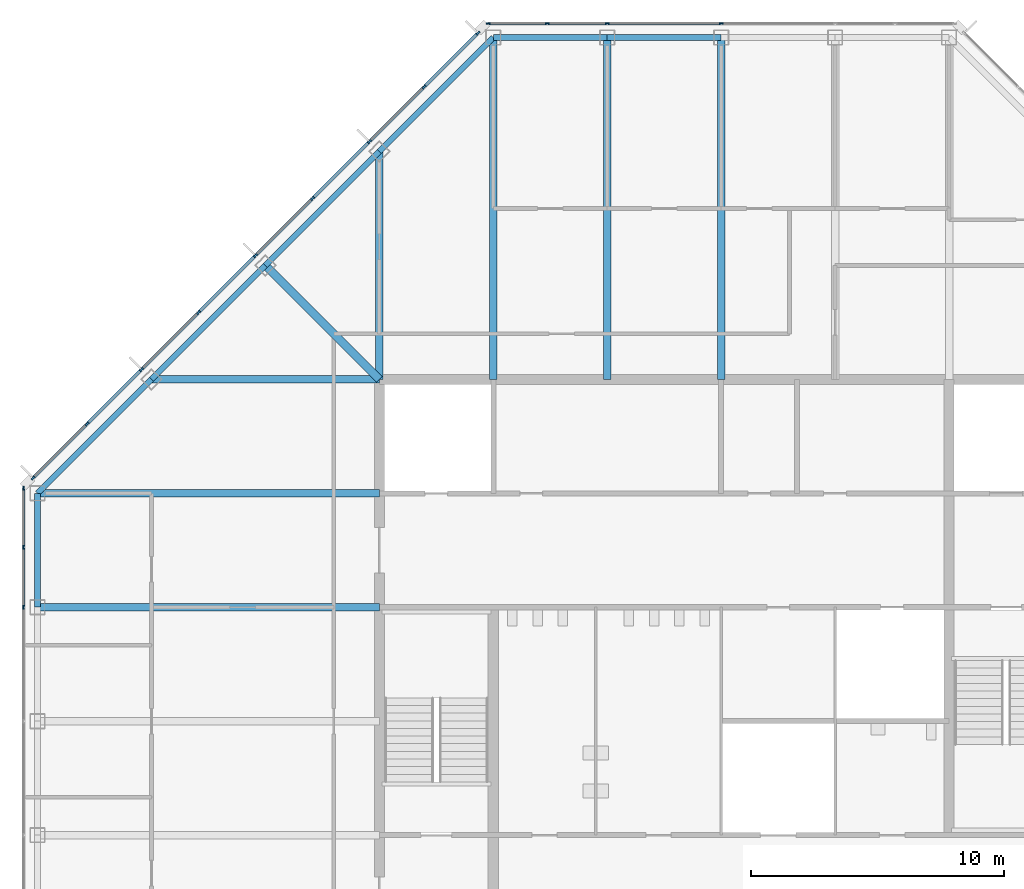
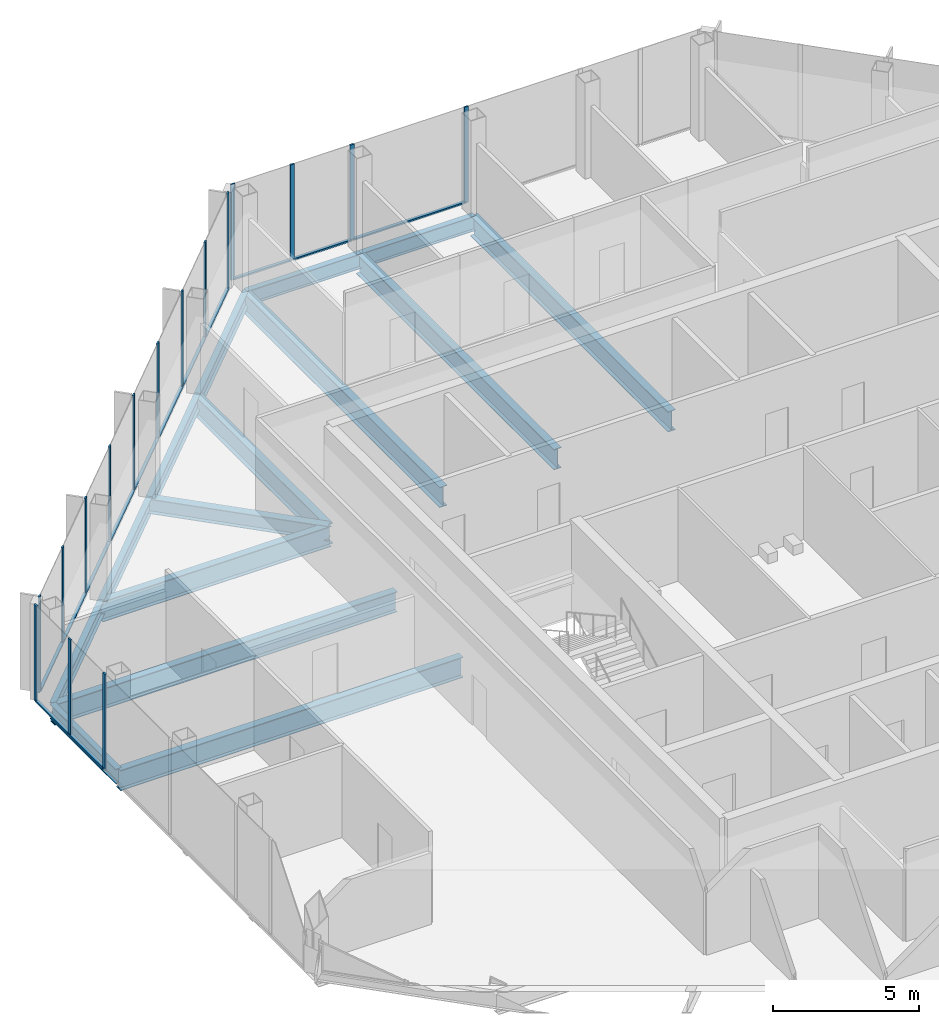
# One storey, part 6 of 14: 29 members, 15 beams, 3 elements without a shape of their own.
"""IFC4 building model written with IfcOpenShell, lengths in metres."""

from ifc_helpers import new_model, si_unit, direction, frame, origin, origin_2d, place, context, subcontext, project, spatial, rectangle, i_section, extrude, material, material_profile, profile_set, type_object, element, aggregate, save


model = new_model("IFC4")

# Units and contexts
model_context = context("Model", 3, precision=1e-05, world=origin(), true_north=direction((0.0, 1.0)))
body_context = subcontext(model_context, "Body", "Model", "MODEL_VIEW")
ifc_project = project(units=[si_unit("LENGTHUNIT", "METRE"), si_unit("AREAUNIT", "SQUARE_METRE"), si_unit("VOLUMEUNIT", "CUBIC_METRE"), si_unit("PLANEANGLEUNIT", "RADIAN"), si_unit("MASSUNIT", "GRAM", prefix="KILO")], contexts=[model_context])

# Site, building, storey
site_placement = place(None, origin())
site = spatial("IfcSite", under=ifc_project, at=site_placement, CompositionType="ELEMENT")
building_placement = place(site_placement, origin())
building = spatial("IfcBuilding", under=site, at=building_placement, Name="Corais Broadcast Tower", CompositionType="ELEMENT")
storey_placement = place(building_placement, frame((0.0, 0.0, 286.60009765625)))
storey = spatial("IfcBuildingStorey", under=building, at=storey_placement, Name="L67", CompositionType="ELEMENT", Elevation=286.60009765625)

# Beams
ifc_material_1 = material(Name="Steel ASTM A572 Grade 50", Category="steel")
ifc_material_profile_1 = material_profile(ifc_material_1, i_section(OverallWidth=0.323974609375, OverallDepth=0.611083984375, WebThickness=0.0126953125, FlangeThickness=0.01904296875, at=origin_2d()), Name="W610x155")
ifc_profile_set_1 = profile_set([ifc_material_profile_1], Name="Steel ASTM A572 Grade 50")
beam_type_1 = type_object("IfcBeamType", Name="Corner diagonal W610x155", PredefinedType="BEAM", material=ifc_profile_set_1)
beam_1_placement = place(storey_placement, frame((9.0, 45.0, -0.465576171875), z_axis=(0.707106781187, -0.707106781187, 0.0), x_axis=(0.707106781187, 0.707106781187, 0.0)))
element("IfcBeam", 1, at=beam_1_placement, inside=storey, type_object=beam_type_1, Name="B6 L/5 to K/6", PredefinedType="BEAM", context=body_context, shape_type="SweptSolid", body=[
    extrude(i_section(OverallWidth=0.323974609375, OverallDepth=0.611083984375, WebThickness=0.0126953125, FlangeThickness=0.01904296875, at=origin_2d()), origin(), (0.0, 0.0, 1.0), 6.364013671875),
])
ifc_material_2 = material(Name="Steel ASTM A572 Grade 50", Category="steel")
ifc_material_profile_2 = material_profile(ifc_material_2, i_section(OverallWidth=0.2939453125, OverallDepth=0.85107421875, WebThickness=0.01611328125, FlangeThickness=0.02685546875, at=origin_2d()), Name="W840x226")
ifc_profile_set_2 = profile_set([ifc_material_profile_2], Name="Steel ASTM A572 Grade 50")
beam_type_2 = type_object("IfcBeamType", Name="Floor beam W840x226", PredefinedType="BEAM", material=ifc_profile_set_2)
for number, where, z_axis, x_axis, name in (
    (2, (0.0, 31.5, -0.585693359375), (1.0, 0.0, 0.0), (0.0, 1.0, 0.0), "B1 H/3 to H/6"),
    (3, (0.0, 36.0, -0.585693359375), (1.0, 0.0, 0.0), (0.0, 1.0, 0.0), "B1 J/3 to J/6"),
):
    element("IfcBeam", number, at=place(storey_placement, frame(where, z_axis=z_axis, x_axis=x_axis)), inside=storey, type_object=beam_type_2, Name=name, PredefinedType="BEAM", context=body_context, shape_type="SweptSolid", body=[
        extrude(i_section(OverallWidth=0.2939453125, OverallDepth=0.85107421875, WebThickness=0.01611328125, FlangeThickness=0.02685546875, at=origin_2d()), origin(), (0.0, 0.0, 1.0), 13.5),
    ])
beam_2_placement = place(storey_placement, frame((13.5, 49.5, -0.585693359375), z_axis=(0.0, -1.0, 0.0), x_axis=(1.0, 0.0, 0.0)))
element("IfcBeam", 4, at=beam_2_placement, inside=storey, type_object=beam_type_2, Name="B1 M/6 to K/6", PredefinedType="BEAM", context=body_context, shape_type="SweptSolid", body=[
    extrude(i_section(OverallWidth=0.2939453125, OverallDepth=0.85107421875, WebThickness=0.01611328125, FlangeThickness=0.02685546875, at=origin_2d()), origin(), (0.0, 0.0, 1.0), 9.0),
])
for number, where, z_axis, x_axis, name in (
    (5, (18.0, 54.0, -0.585693359375), (0.0, -1.0, 0.0), (1.0, 0.0, 0.0), "B1 N/7 to K/7"),
    (6, (22.5, 54.0, -0.585693359375), (0.0, -1.0, 0.0), (1.0, 0.0, 0.0), "B1 N/8 to K/8"),
    (7, (27.0, 54.0, -0.585693359375), (0.0, -1.0, 0.0), (1.0, 0.0, 0.0), "B1 N/9 to K/9"),
):
    element("IfcBeam", number, at=place(storey_placement, frame(where, z_axis=z_axis, x_axis=x_axis)), inside=storey, type_object=beam_type_2, Name=name, PredefinedType="BEAM", context=body_context, shape_type="SweptSolid", body=[
        extrude(i_section(OverallWidth=0.2939453125, OverallDepth=0.85107421875, WebThickness=0.01611328125, FlangeThickness=0.02685546875, at=origin_2d()), origin(), (0.0, 0.0, 1.0), 13.5),
    ])
beam_3_placement = place(storey_placement, frame((4.5, 40.5, -0.585693359375), z_axis=(1.0, 0.0, 0.0), x_axis=(0.0, 1.0, 0.0)))
element("IfcBeam", 8, at=beam_3_placement, inside=storey, type_object=beam_type_2, Name="B1 K/4 to K/6", PredefinedType="BEAM", context=body_context, shape_type="SweptSolid", body=[
    extrude(i_section(OverallWidth=0.2939453125, OverallDepth=0.85107421875, WebThickness=0.01611328125, FlangeThickness=0.02685546875, at=origin_2d()), origin(), (0.0, 0.0, 1.0), 9.0),
])

# Curtain wall, members
ifc_material_3 = material(Name="Aluminium and glass", Category="aluminium")
curtain_wall_type = type_object("IfcCurtainWallType", Name="Unitised fritted curtain wall CW3", PredefinedType="NOTDEFINED", material=ifc_material_3)
curtain_wall_1_placement = place(storey_placement, origin())
curtain_wall_1 = element("IfcCurtainWall", 9, at=curtain_wall_1_placement, inside=storey, type_object=curtain_wall_type, Name="CW3 curtain wall L67 2", PredefinedType="NOTDEFINED")
ifc_material_4 = material(Name="Aluminium 6063-T6", Category="aluminium")
ifc_material_profile_3 = material_profile(ifc_material_4, rectangle(XDim=0.06494140625, YDim=0.159912109375, at=origin_2d()), Name="Mullion CW3 65x160")
ifc_profile_set_3 = profile_set([ifc_material_profile_3], Name="Aluminium 6063-T6")
member_type_1 = type_object("IfcMemberType", Name="Mullion CW3 65x160", PredefinedType="MULLION", material=ifc_profile_set_3)
member_1_placement = place(storey_placement, frame((-0.550048828125, 31.5, 0.0), z_axis=(0.0, 0.0, 1.0), x_axis=(-1.0, 0.0, 0.0)))
member_1 = element("IfcMember", 10, at=member_1_placement, type_object=member_type_1, Name="CW3 mullion 5", PredefinedType="MULLION", context=body_context, shape_type="SweptSolid", body=[
    extrude(rectangle(XDim=0.06494140625, YDim=0.159912109375, at=origin_2d()), origin(), (0.0, 0.0, 1.0), 4.0),
])
member_2_placement = place(storey_placement, frame((-0.550048828125, 33.864013671875, 0.0), z_axis=(0.0, 0.0, 1.0), x_axis=(-1.0, 0.0, 0.0)))
member_2 = element("IfcMember", 11, at=member_2_placement, type_object=member_type_1, Name="CW3 mullion 6", PredefinedType="MULLION", context=body_context, shape_type="SweptSolid", body=[
    extrude(rectangle(XDim=0.06494140625, YDim=0.159912109375, at=origin_2d()), origin(), (0.0, 0.0, 1.0), 4.0),
])
member_3_placement = place(storey_placement, frame((-0.550048828125, 36.1953125, 0.0), z_axis=(0.0, 0.0, 1.0), x_axis=(-1.0, 0.0, 0.0)))
member_3 = element("IfcMember", 12, at=member_3_placement, type_object=member_type_1, Name="CW3 mullion 7", PredefinedType="MULLION", context=body_context, shape_type="SweptSolid", body=[
    extrude(rectangle(XDim=0.06494140625, YDim=0.159912109375, at=origin_2d()), origin(), (0.0, 0.0, 1.0), 4.0),
])

curtain_wall_2_placement = place(storey_placement, origin())
curtain_wall_2 = element("IfcCurtainWall", 13, at=curtain_wall_2_placement, inside=storey, type_object=curtain_wall_type, Name="CW3 curtain wall L67 3", PredefinedType="NOTDEFINED")
member_4_placement = place(storey_placement, frame((-0.17333984375, 36.6044921875, 0.0), z_axis=(0.0, 0.0, 1.0), x_axis=(-0.707106781187, 0.707106781187, 0.0)))
member_4 = element("IfcMember", 14, at=member_4_placement, type_object=member_type_1, Name="CW3 mullion 1", PredefinedType="MULLION", context=body_context, shape_type="SweptSolid", body=[
    extrude(rectangle(XDim=0.06494140625, YDim=0.159912109375, at=origin_2d()), origin(), (0.0, 0.0, 1.0), 4.0),
])
member_5_placement = place(storey_placement, frame((1.957275390625, 38.735107421875, 0.0), z_axis=(0.0, 0.0, 1.0), x_axis=(-0.707106781187, 0.707106781187, 0.0)))
member_5 = element("IfcMember", 15, at=member_5_placement, type_object=member_type_1, Name="CW3 mullion 2", PredefinedType="MULLION", context=body_context, shape_type="SweptSolid", body=[
    extrude(rectangle(XDim=0.06494140625, YDim=0.159912109375, at=origin_2d()), origin(), (0.0, 0.0, 1.0), 4.0),
])
member_6_placement = place(storey_placement, frame((4.111083984375, 40.888916015625, 0.0), z_axis=(0.0, 0.0, 1.0), x_axis=(-0.707106781187, 0.707106781187, 0.0)))
member_6 = element("IfcMember", 16, at=member_6_placement, type_object=member_type_1, Name="CW3 mullion 3", PredefinedType="MULLION", context=body_context, shape_type="SweptSolid", body=[
    extrude(rectangle(XDim=0.06494140625, YDim=0.159912109375, at=origin_2d()), origin(), (0.0, 0.0, 1.0), 4.0),
])
member_7_placement = place(storey_placement, frame((6.361083984375, 43.138916015625, 0.0), z_axis=(0.0, 0.0, 1.0), x_axis=(-0.707106781187, 0.707106781187, 0.0)))
member_7 = element("IfcMember", 17, at=member_7_placement, type_object=member_type_1, Name="CW3 mullion 4", PredefinedType="MULLION", context=body_context, shape_type="SweptSolid", body=[
    extrude(rectangle(XDim=0.06494140625, YDim=0.159912109375, at=origin_2d()), origin(), (0.0, 0.0, 1.0), 4.0),
])
member_8_placement = place(storey_placement, frame((8.611083984375, 45.388916015625, 0.0), z_axis=(0.0, 0.0, 1.0), x_axis=(-0.707106781187, 0.707106781187, 0.0)))
member_8 = element("IfcMember", 18, at=member_8_placement, type_object=member_type_1, Name="CW3 mullion 5", PredefinedType="MULLION", context=body_context, shape_type="SweptSolid", body=[
    extrude(rectangle(XDim=0.06494140625, YDim=0.159912109375, at=origin_2d()), origin(), (0.0, 0.0, 1.0), 4.0),
])
member_9_placement = place(storey_placement, frame((10.861083984375, 47.638916015625, 0.0), z_axis=(0.0, 0.0, 1.0), x_axis=(-0.707106781187, 0.707106781187, 0.0)))
member_9 = element("IfcMember", 19, at=member_9_placement, type_object=member_type_1, Name="CW3 mullion 6", PredefinedType="MULLION", context=body_context, shape_type="SweptSolid", body=[
    extrude(rectangle(XDim=0.06494140625, YDim=0.159912109375, at=origin_2d()), origin(), (0.0, 0.0, 1.0), 4.0),
])
member_10_placement = place(storey_placement, frame((13.111083984375, 49.888916015625, 0.0), z_axis=(0.0, 0.0, 1.0), x_axis=(-0.707106781187, 0.707106781187, 0.0)))
member_10 = element("IfcMember", 20, at=member_10_placement, type_object=member_type_1, Name="CW3 mullion 7", PredefinedType="MULLION", context=body_context, shape_type="SweptSolid", body=[
    extrude(rectangle(XDim=0.06494140625, YDim=0.159912109375, at=origin_2d()), origin(), (0.0, 0.0, 1.0), 4.0),
])
member_11_placement = place(storey_placement, frame((15.264892578125, 52.042724609375, 0.0), z_axis=(0.0, 0.0, 1.0), x_axis=(-0.707106781187, 0.707106781187, 0.0)))
member_11 = element("IfcMember", 21, at=member_11_placement, type_object=member_type_1, Name="CW3 mullion 8", PredefinedType="MULLION", context=body_context, shape_type="SweptSolid", body=[
    extrude(rectangle(XDim=0.06494140625, YDim=0.159912109375, at=origin_2d()), origin(), (0.0, 0.0, 1.0), 4.0),
])
member_12_placement = place(storey_placement, frame((17.3955078125, 54.17333984375, 0.0), z_axis=(0.0, 0.0, 1.0), x_axis=(-0.707106781187, 0.707106781187, 0.0)))
member_12 = element("IfcMember", 22, at=member_12_placement, type_object=member_type_1, Name="CW3 mullion 9", PredefinedType="MULLION", context=body_context, shape_type="SweptSolid", body=[
    extrude(rectangle(XDim=0.06494140625, YDim=0.159912109375, at=origin_2d()), origin(), (0.0, 0.0, 1.0), 4.0),
])

curtain_wall_3_placement = place(storey_placement, origin())
curtain_wall_3 = element("IfcCurtainWall", 23, at=curtain_wall_3_placement, inside=storey, type_object=curtain_wall_type, Name="CW3 curtain wall L67 4", PredefinedType="NOTDEFINED")
member_13_placement = place(storey_placement, frame((17.8046875, 54.550048828125, 0.0), z_axis=(0.0, 0.0, 1.0), x_axis=(0.0, 1.0, 0.0)))
member_13 = element("IfcMember", 24, at=member_13_placement, type_object=member_type_1, Name="CW3 mullion 1", PredefinedType="MULLION", context=body_context, shape_type="SweptSolid", body=[
    extrude(rectangle(XDim=0.06494140625, YDim=0.159912109375, at=origin_2d()), origin(), (0.0, 0.0, 1.0), 4.0),
])
member_14_placement = place(storey_placement, frame((20.135986328125, 54.550048828125, 0.0), z_axis=(0.0, 0.0, 1.0), x_axis=(0.0, 1.0, 0.0)))
member_14 = element("IfcMember", 25, at=member_14_placement, type_object=member_type_1, Name="CW3 mullion 2", PredefinedType="MULLION", context=body_context, shape_type="SweptSolid", body=[
    extrude(rectangle(XDim=0.06494140625, YDim=0.159912109375, at=origin_2d()), origin(), (0.0, 0.0, 1.0), 4.0),
])
member_15_placement = place(storey_placement, frame((22.5, 54.550048828125, 0.0), z_axis=(0.0, 0.0, 1.0), x_axis=(0.0, 1.0, 0.0)))
member_15 = element("IfcMember", 26, at=member_15_placement, type_object=member_type_1, Name="CW3 mullion 3", PredefinedType="MULLION", context=body_context, shape_type="SweptSolid", body=[
    extrude(rectangle(XDim=0.06494140625, YDim=0.159912109375, at=origin_2d()), origin(), (0.0, 0.0, 1.0), 4.0),
])
member_16_placement = place(storey_placement, frame((27.0, 54.550048828125, 0.0), z_axis=(0.0, 0.0, 1.0), x_axis=(0.0, 1.0, 0.0)))
member_16 = element("IfcMember", 27, at=member_16_placement, type_object=member_type_1, Name="CW3 mullion 4", PredefinedType="MULLION", context=body_context, shape_type="SweptSolid", body=[
    extrude(rectangle(XDim=0.06494140625, YDim=0.159912109375, at=origin_2d()), origin(), (0.0, 0.0, 1.0), 4.0),
])

# Beams
ifc_material_5 = material(Name="Steel ASTM A572 Grade 50", Category="steel")
ifc_material_profile_4 = material_profile(ifc_material_5, i_section(OverallWidth=0.22998046875, OverallDepth=0.616943359375, WebThickness=0.01318359375, FlangeThickness=0.022216796875, at=origin_2d()), Name="W610x140")
ifc_profile_set_4 = profile_set([ifc_material_profile_4], Name="Steel ASTM A572 Grade 50")
beam_type_3 = type_object("IfcBeamType", Name="Spandrel W610x140", PredefinedType="BEAM", material=ifc_profile_set_4)
beam_4_placement = place(storey_placement, frame((0.0, 36.0, -0.468505859375), z_axis=(0.0, -1.0, 0.0), x_axis=(1.0, 0.0, 0.0)))
element("IfcBeam", 28, at=beam_4_placement, inside=storey, type_object=beam_type_3, Name="SB3 J/3 to H/3", PredefinedType="BEAM", context=body_context, shape_type="SweptSolid", body=[
    extrude(i_section(OverallWidth=0.22998046875, OverallDepth=0.616943359375, WebThickness=0.01318359375, FlangeThickness=0.022216796875, at=origin_2d()), origin(), (0.0, 0.0, 1.0), 4.5),
])
for number, where, z_axis, x_axis, name in (
    (29, (13.5, 49.5, -0.468505859375), (-0.707106781187, -0.707106781187, 0.0), (0.707106781187, -0.707106781187, 0.0), "SB3 M/6 to L/5"),
    (30, (18.0, 54.0, -0.468505859375), (-0.707106781187, -0.707106781187, 0.0), (0.707106781187, -0.707106781187, 0.0), "SB3 N/7 to M/6"),
):
    element("IfcBeam", number, at=place(storey_placement, frame(where, z_axis=z_axis, x_axis=x_axis)), inside=storey, type_object=beam_type_3, Name=name, PredefinedType="BEAM", context=body_context, shape_type="SweptSolid", body=[
        extrude(i_section(OverallWidth=0.22998046875, OverallDepth=0.616943359375, WebThickness=0.01318359375, FlangeThickness=0.022216796875, at=origin_2d()), origin(), (0.0, 0.0, 1.0), 6.364013671875),
    ])
for number, where, z_axis, x_axis, name in (
    (31, (22.5, 54.0, -0.468505859375), (-1.0, 0.0, 0.0), (0.0, -1.0, 0.0), "SB3 N/8 to N/7"),
    (32, (27.0, 54.0, -0.468505859375), (-1.0, 0.0, 0.0), (0.0, -1.0, 0.0), "SB3 N/9 to N/8"),
):
    element("IfcBeam", number, at=place(storey_placement, frame(where, z_axis=z_axis, x_axis=x_axis)), inside=storey, type_object=beam_type_3, Name=name, PredefinedType="BEAM", context=body_context, shape_type="SweptSolid", body=[
        extrude(i_section(OverallWidth=0.22998046875, OverallDepth=0.616943359375, WebThickness=0.01318359375, FlangeThickness=0.022216796875, at=origin_2d()), origin(), (0.0, 0.0, 1.0), 4.5),
    ])
for number, where, z_axis, x_axis, name in (
    (33, (4.5, 40.5, -0.468505859375), (-0.707106781187, -0.707106781187, 0.0), (0.707106781187, -0.707106781187, 0.0), "SB3 K/4 to J/3"),
    (34, (9.0, 45.0, -0.468505859375), (-0.707106781187, -0.707106781187, 0.0), (0.707106781187, -0.707106781187, 0.0), "SB3 L/5 to K/4"),
):
    element("IfcBeam", number, at=place(storey_placement, frame(where, z_axis=z_axis, x_axis=x_axis)), inside=storey, type_object=beam_type_3, Name=name, PredefinedType="BEAM", context=body_context, shape_type="SweptSolid", body=[
        extrude(i_section(OverallWidth=0.22998046875, OverallDepth=0.616943359375, WebThickness=0.01318359375, FlangeThickness=0.022216796875, at=origin_2d()), origin(), (0.0, 0.0, 1.0), 6.364013671875),
    ])

# Member
ifc_material_6 = material(Name="Aluminium 6063-T6", Category="aluminium")
ifc_material_profile_5 = material_profile(ifc_material_6, rectangle(XDim=0.1201171875, YDim=0.06494140625, at=origin_2d()), Name="Transom CW3 65x120")
ifc_profile_set_5 = profile_set([ifc_material_profile_5], Name="Aluminium 6063-T6")
member_type_2 = type_object("IfcMemberType", Name="Transom CW3 65x120", PredefinedType="USERDEFINED", material=ifc_profile_set_5)
member_17_placement = place(storey_placement, frame((-0.550048828125, 31.532470703125, 0.032470703125), z_axis=(0.0, 1.0, 0.0), x_axis=(-1.0, 0.0, 0.0)))
member_17 = element("IfcMember", 35, at=member_17_placement, type_object=member_type_2, Name="CW3 transom 5.1", ObjectType="TRANSOM", PredefinedType="USERDEFINED", context=body_context, shape_type="SweptSolid", body=[
    extrude(rectangle(XDim=0.1201171875, YDim=0.06494140625, at=origin_2d()), origin(), (0.0, 0.0, 1.0), 2.298828125),
])

member_18_placement = place(storey_placement, frame((-0.550048828125, 33.896484375, 0.032470703125), z_axis=(0.0, 1.0, 0.0), x_axis=(-1.0, 0.0, 0.0)))
member_18 = element("IfcMember", 36, at=member_18_placement, type_object=member_type_2, Name="CW3 transom 6.1", ObjectType="TRANSOM", PredefinedType="USERDEFINED", context=body_context, shape_type="SweptSolid", body=[
    extrude(rectangle(XDim=0.1201171875, YDim=0.06494140625, at=origin_2d()), origin(), (0.0, 0.0, 1.0), 2.266357421875),
])

aggregate(curtain_wall_1, [member_1, member_2, member_3, member_17, member_18])

member_19_placement = place(storey_placement, frame((-0.150390625, 36.62744140625, 0.032470703125), z_axis=(0.707106781187, 0.707106781187, 0.0), x_axis=(-0.707106781187, 0.707106781187, 0.0)))
member_19 = element("IfcMember", 37, at=member_19_placement, type_object=member_type_2, Name="CW3 transom 1.1", ObjectType="TRANSOM", PredefinedType="USERDEFINED", context=body_context, shape_type="SweptSolid", body=[
    extrude(rectangle(XDim=0.1201171875, YDim=0.06494140625, at=origin_2d()), origin(), (0.0, 0.0, 1.0), 2.9482421875),
])

member_20_placement = place(storey_placement, frame((1.980224609375, 38.758056640625, 0.032470703125), z_axis=(0.707106781187, 0.707106781187, 0.0), x_axis=(-0.707106781187, 0.707106781187, 0.0)))
member_20 = element("IfcMember", 38, at=member_20_placement, type_object=member_type_2, Name="CW3 transom 2.1", ObjectType="TRANSOM", PredefinedType="USERDEFINED", context=body_context, shape_type="SweptSolid", body=[
    extrude(rectangle(XDim=0.1201171875, YDim=0.06494140625, at=origin_2d()), origin(), (0.0, 0.0, 1.0), 2.98095703125),
])

member_21_placement = place(storey_placement, frame((4.134033203125, 40.911865234375, 0.032470703125), z_axis=(0.707106781187, 0.707106781187, 0.0), x_axis=(-0.707106781187, 0.707106781187, 0.0)))
member_21 = element("IfcMember", 39, at=member_21_placement, type_object=member_type_2, Name="CW3 transom 3.1", ObjectType="TRANSOM", PredefinedType="USERDEFINED", context=body_context, shape_type="SweptSolid", body=[
    extrude(rectangle(XDim=0.1201171875, YDim=0.06494140625, at=origin_2d()), origin(), (0.0, 0.0, 1.0), 3.1171875),
])

member_22_placement = place(storey_placement, frame((6.384033203125, 43.161865234375, 0.032470703125), z_axis=(0.707106781187, 0.707106781187, 0.0), x_axis=(-0.707106781187, 0.707106781187, 0.0)))
member_22 = element("IfcMember", 40, at=member_22_placement, type_object=member_type_2, Name="CW3 transom 4.1", ObjectType="TRANSOM", PredefinedType="USERDEFINED", context=body_context, shape_type="SweptSolid", body=[
    extrude(rectangle(XDim=0.1201171875, YDim=0.06494140625, at=origin_2d()), origin(), (0.0, 0.0, 1.0), 3.1171875),
])

member_23_placement = place(storey_placement, frame((8.634033203125, 45.411865234375, 0.032470703125), z_axis=(0.707106781187, 0.707106781187, 0.0), x_axis=(-0.707106781187, 0.707106781187, 0.0)))
member_23 = element("IfcMember", 41, at=member_23_placement, type_object=member_type_2, Name="CW3 transom 5.1", ObjectType="TRANSOM", PredefinedType="USERDEFINED", context=body_context, shape_type="SweptSolid", body=[
    extrude(rectangle(XDim=0.1201171875, YDim=0.06494140625, at=origin_2d()), origin(), (0.0, 0.0, 1.0), 3.1171875),
])

member_24_placement = place(storey_placement, frame((10.884033203125, 47.661865234375, 0.032470703125), z_axis=(0.707106781187, 0.707106781187, 0.0), x_axis=(-0.707106781187, 0.707106781187, 0.0)))
member_24 = element("IfcMember", 42, at=member_24_placement, type_object=member_type_2, Name="CW3 transom 6.1", ObjectType="TRANSOM", PredefinedType="USERDEFINED", context=body_context, shape_type="SweptSolid", body=[
    extrude(rectangle(XDim=0.1201171875, YDim=0.06494140625, at=origin_2d()), origin(), (0.0, 0.0, 1.0), 3.1171875),
])

member_25_placement = place(storey_placement, frame((13.134033203125, 49.911865234375, 0.032470703125), z_axis=(0.70714773134, 0.707065828661, 0.0), x_axis=(-0.707065828661, 0.70714773134, 0.0)))
member_25 = element("IfcMember", 43, at=member_25_placement, type_object=member_type_2, Name="CW3 transom 7.1", ObjectType="TRANSOM", PredefinedType="USERDEFINED", context=body_context, shape_type="SweptSolid", body=[
    extrude(rectangle(XDim=0.1201171875, YDim=0.06494140625, at=origin_2d()), origin(), (0.0, 0.0, 1.0), 2.98095703125),
])

member_26_placement = place(storey_placement, frame((15.287841796875, 52.065673828125, 0.032470703125), z_axis=(0.707106781187, 0.707106781187, 0.0), x_axis=(-0.707106781187, 0.707106781187, 0.0)))
member_26 = element("IfcMember", 44, at=member_26_placement, type_object=member_type_2, Name="CW3 transom 8.1", ObjectType="TRANSOM", PredefinedType="USERDEFINED", context=body_context, shape_type="SweptSolid", body=[
    extrude(rectangle(XDim=0.1201171875, YDim=0.06494140625, at=origin_2d()), origin(), (0.0, 0.0, 1.0), 2.9482421875),
])

aggregate(curtain_wall_2, [member_4, member_5, member_6, member_7, member_8, member_9, member_10, member_11, member_12, member_19, member_20, member_21, member_22, member_23, member_24, member_25, member_26])

member_27_placement = place(storey_placement, frame((17.837158203125, 54.550048828125, 0.032470703125), z_axis=(1.0, 0.0, 0.0), x_axis=(0.0, 1.0, 0.0)))
member_27 = element("IfcMember", 45, at=member_27_placement, type_object=member_type_2, Name="CW3 transom 1.1", ObjectType="TRANSOM", PredefinedType="USERDEFINED", context=body_context, shape_type="SweptSolid", body=[
    extrude(rectangle(XDim=0.1201171875, YDim=0.06494140625, at=origin_2d()), origin(), (0.0, 0.0, 1.0), 2.266357421875),
])

member_28_placement = place(storey_placement, frame((20.168701171875, 54.550048828125, 0.032470703125), z_axis=(1.0, 0.0, 0.0), x_axis=(0.0, 1.0, 0.0)))
member_28 = element("IfcMember", 46, at=member_28_placement, type_object=member_type_2, Name="CW3 transom 2.1", ObjectType="TRANSOM", PredefinedType="USERDEFINED", context=body_context, shape_type="SweptSolid", body=[
    extrude(rectangle(XDim=0.1201171875, YDim=0.06494140625, at=origin_2d()), origin(), (0.0, 0.0, 1.0), 2.298828125),
])

member_29_placement = place(storey_placement, frame((22.532470703125, 54.550048828125, 0.032470703125), z_axis=(1.0, 0.0, 0.0), x_axis=(0.0, 1.0, 0.0)))
member_29 = element("IfcMember", 47, at=member_29_placement, type_object=member_type_2, Name="CW3 transom 3.1", ObjectType="TRANSOM", PredefinedType="USERDEFINED", context=body_context, shape_type="SweptSolid", body=[
    extrude(rectangle(XDim=0.1201171875, YDim=0.06494140625, at=origin_2d()), origin(), (0.0, 0.0, 1.0), 4.43505859375),
])

aggregate(curtain_wall_3, [member_13, member_14, member_15, member_16, member_27, member_28, member_29])

save(model, "model.ifc")
